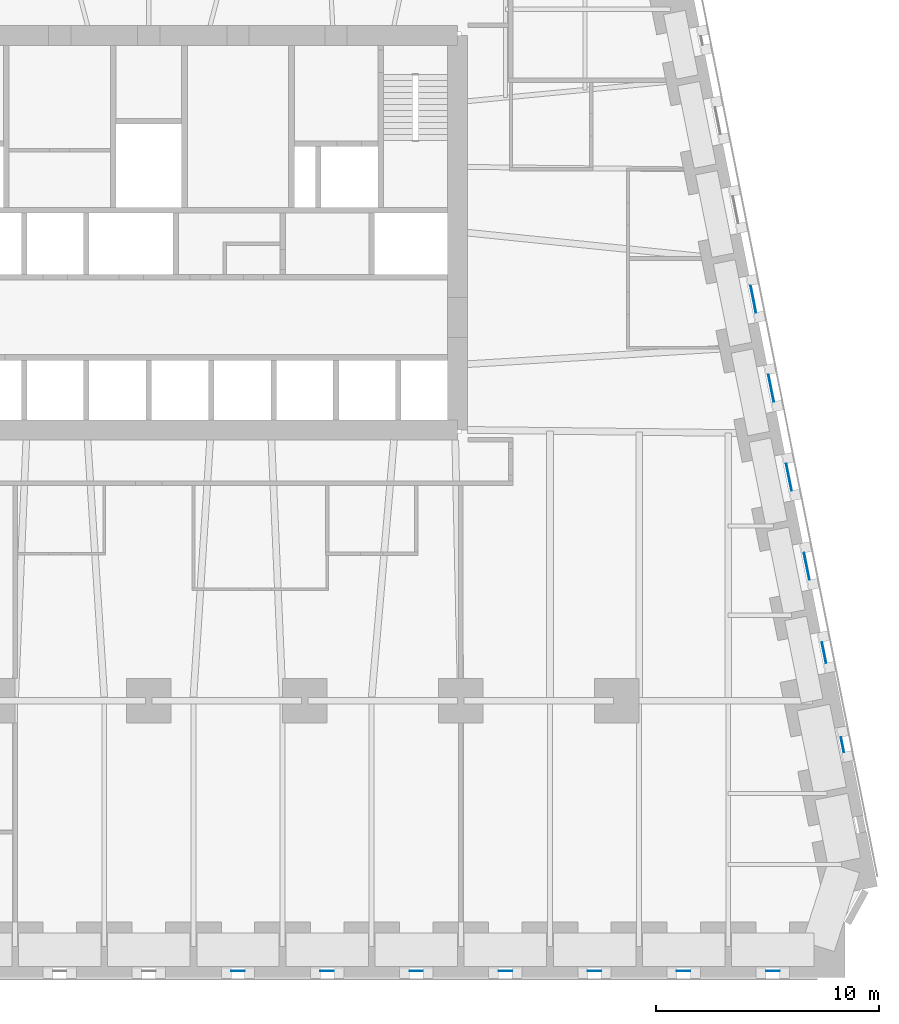
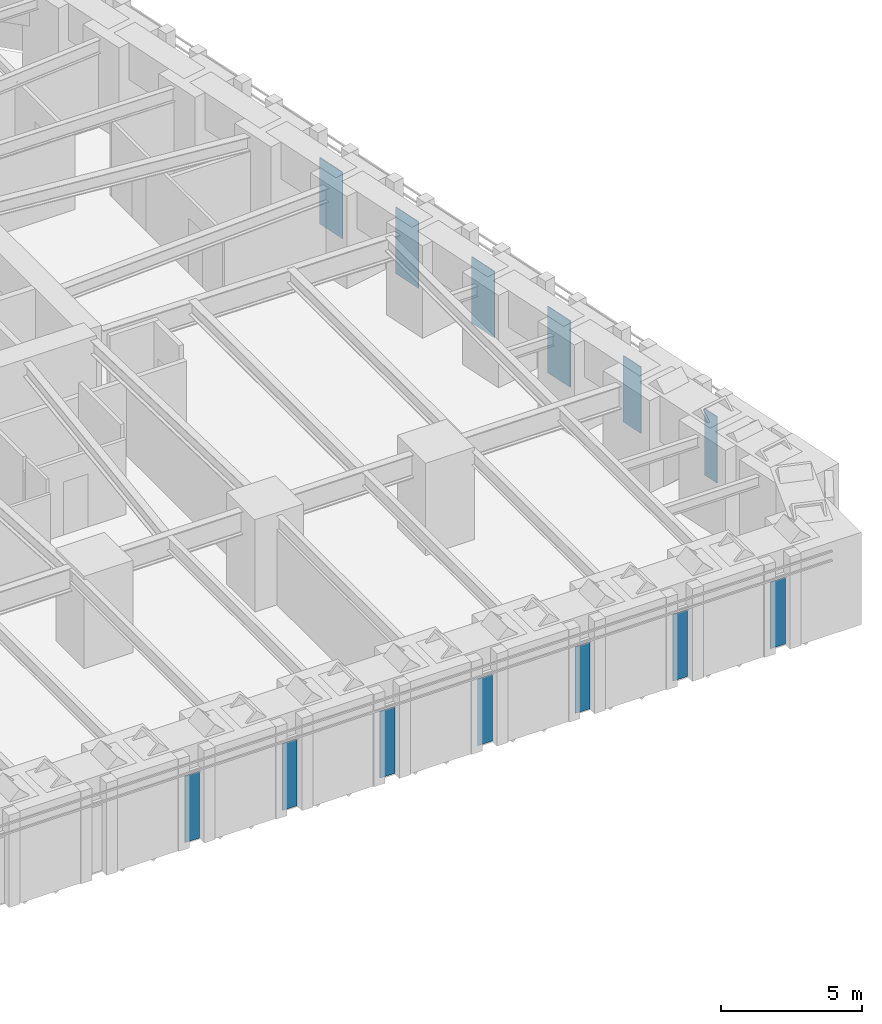
# One storey, part 9 of 17: 13 plates, 13 elements without a shape of their own.
"""IFC4 building model written with IfcOpenShell, lengths in metres."""

from ifc_helpers import new_model, si_unit, direction, frame, origin, origin_2d, place, context, subcontext, project, spatial, rectangle, extrude, material, layer, layer_set, type_object, element, aggregate, save


model = new_model("IFC4")

# Units and contexts
model_context = context("Model", 3, precision=1e-05, world=origin(), true_north=direction((0.0, 1.0)))
body_context = subcontext(model_context, "Body", "Model", "MODEL_VIEW")
ifc_project = project(units=[si_unit("LENGTHUNIT", "METRE"), si_unit("AREAUNIT", "SQUARE_METRE"), si_unit("VOLUMEUNIT", "CUBIC_METRE"), si_unit("PLANEANGLEUNIT", "RADIAN"), si_unit("MASSUNIT", "GRAM", prefix="KILO")], contexts=[model_context])

# Site, building, storey
site_placement = place(None, origin())
site = spatial("IfcSite", under=ifc_project, at=site_placement, CompositionType="ELEMENT")
building_placement = place(site_placement, origin())
building = spatial("IfcBuilding", under=site, at=building_placement, Name="Isbrekke Arena Tower", CompositionType="ELEMENT")
storey_placement = place(building_placement, frame((0.0, 0.0, 48.0)))
storey = spatial("IfcBuildingStorey", under=building, at=storey_placement, Name="L09", CompositionType="ELEMENT", Elevation=48.0)

# Curtain wall, plate
ifc_material_1 = material(Name="Glazed aluminium curtain wall", Category="aluminium")
curtain_wall_type = type_object("IfcCurtainWallType", Name="CWL TOWER CURTAIN WALL LOW ZONE", PredefinedType="USERDEFINED", material=ifc_material_1)
curtain_wall_1_placement = place(storey_placement, origin())
curtain_wall_1 = element("IfcCurtainWall", 1, at=curtain_wall_1_placement, inside=storey, type_object=curtain_wall_type, Name="CWL curtain wall L09-S17", ObjectType="TOWER CURTAIN WALL LOW ZONE", PredefinedType="USERDEFINED")
ifc_material_2 = material(Name="Triple-glazed clear glass unit", Category="glass")
ifc_layer = layer(ifc_material_2, 0.031982421875)
ifc_layer_set = layer_set([ifc_layer], Name="CWL-P VISION PANEL")
plate_type = type_object("IfcPlateType", Name="CWL-P VISION PANEL", PredefinedType="CURTAIN_PANEL", material=ifc_layer_set)
plate_1_placement = place(storey_placement, frame((4.0, -18.125, 0.02001953125), z_axis=(0.0, 0.0, 1.0), x_axis=(1.0, 0.0, 0.0)))
plate_1 = element("IfcPlate", 2, at=plate_1_placement, type_object=plate_type, Name="CWL-P panel 1", PredefinedType="CURTAIN_PANEL", context=body_context, shape_type="SweptSolid", body=[
    extrude(rectangle(XDim=0.60009765625, YDim=0.031982421875, at=origin_2d()), origin(), (0.0, 0.0, 1.0), 2.8798828125),
])
aggregate(curtain_wall_1, [plate_1])

curtain_wall_2_placement = place(storey_placement, origin())
curtain_wall_2 = element("IfcCurtainWall", 3, at=curtain_wall_2_placement, inside=storey, type_object=curtain_wall_type, Name="CWL curtain wall L09-S19", ObjectType="TOWER CURTAIN WALL LOW ZONE", PredefinedType="USERDEFINED")
plate_2_placement = place(storey_placement, frame((8.0, -18.125, 0.02001953125), z_axis=(0.0, 0.0, 1.0), x_axis=(1.0, 0.0, 0.0)))
plate_2 = element("IfcPlate", 4, at=plate_2_placement, type_object=plate_type, Name="CWL-P panel 1", PredefinedType="CURTAIN_PANEL", context=body_context, shape_type="SweptSolid", body=[
    extrude(rectangle(XDim=0.60009765625, YDim=0.031982421875, at=origin_2d()), origin(), (0.0, 0.0, 1.0), 2.8798828125),
])
aggregate(curtain_wall_2, [plate_2])

curtain_wall_3_placement = place(storey_placement, origin())
curtain_wall_3 = element("IfcCurtainWall", 5, at=curtain_wall_3_placement, inside=storey, type_object=curtain_wall_type, Name="CWL curtain wall L09-S21", ObjectType="TOWER CURTAIN WALL LOW ZONE", PredefinedType="USERDEFINED")
plate_3_placement = place(storey_placement, frame((12.0, -18.125, 0.02001953125), z_axis=(0.0, 0.0, 1.0), x_axis=(1.0, 0.0, 0.0)))
plate_3 = element("IfcPlate", 6, at=plate_3_placement, type_object=plate_type, Name="CWL-P panel 1", PredefinedType="CURTAIN_PANEL", context=body_context, shape_type="SweptSolid", body=[
    extrude(rectangle(XDim=0.60009765625, YDim=0.031982421875, at=origin_2d()), origin(), (0.0, 0.0, 1.0), 2.8798828125),
])
aggregate(curtain_wall_3, [plate_3])

curtain_wall_4_placement = place(storey_placement, origin())
curtain_wall_4 = element("IfcCurtainWall", 7, at=curtain_wall_4_placement, inside=storey, type_object=curtain_wall_type, Name="CWL curtain wall L09-S23", ObjectType="TOWER CURTAIN WALL LOW ZONE", PredefinedType="USERDEFINED")
plate_4_placement = place(storey_placement, frame((16.0, -18.125, 0.02001953125), z_axis=(0.0, 0.0, 1.0), x_axis=(1.0, 0.0, 0.0)))
plate_4 = element("IfcPlate", 8, at=plate_4_placement, type_object=plate_type, Name="CWL-P panel 1", PredefinedType="CURTAIN_PANEL", context=body_context, shape_type="SweptSolid", body=[
    extrude(rectangle(XDim=0.60009765625, YDim=0.031982421875, at=origin_2d()), origin(), (0.0, 0.0, 1.0), 2.8798828125),
])
aggregate(curtain_wall_4, [plate_4])

curtain_wall_5_placement = place(storey_placement, origin())
curtain_wall_5 = element("IfcCurtainWall", 9, at=curtain_wall_5_placement, inside=storey, type_object=curtain_wall_type, Name="CWL curtain wall L09-S25", ObjectType="TOWER CURTAIN WALL LOW ZONE", PredefinedType="USERDEFINED")
plate_5_placement = place(storey_placement, frame((20.0, -18.125, 0.02001953125), z_axis=(0.0, 0.0, 1.0), x_axis=(1.0, 0.0, 0.0)))
plate_5 = element("IfcPlate", 10, at=plate_5_placement, type_object=plate_type, Name="CWL-P panel 1", PredefinedType="CURTAIN_PANEL", context=body_context, shape_type="SweptSolid", body=[
    extrude(rectangle(XDim=0.60009765625, YDim=0.031982421875, at=origin_2d()), origin(), (0.0, 0.0, 1.0), 2.8798828125),
])
aggregate(curtain_wall_5, [plate_5])

curtain_wall_6_placement = place(storey_placement, origin())
curtain_wall_6 = element("IfcCurtainWall", 11, at=curtain_wall_6_placement, inside=storey, type_object=curtain_wall_type, Name="CWL curtain wall L09-S27", ObjectType="TOWER CURTAIN WALL LOW ZONE", PredefinedType="USERDEFINED")
plate_6_placement = place(storey_placement, frame((24.0, -18.125, 0.02001953125), z_axis=(0.0, 0.0, 1.0), x_axis=(1.0, 0.0, 0.0)))
plate_6 = element("IfcPlate", 12, at=plate_6_placement, type_object=plate_type, Name="CWL-P panel 1", PredefinedType="CURTAIN_PANEL", context=body_context, shape_type="SweptSolid", body=[
    extrude(rectangle(XDim=0.60009765625, YDim=0.031982421875, at=origin_2d()), origin(), (0.0, 0.0, 1.0), 2.8798828125),
])
aggregate(curtain_wall_6, [plate_6])

curtain_wall_7_placement = place(storey_placement, origin())
curtain_wall_7 = element("IfcCurtainWall", 13, at=curtain_wall_7_placement, inside=storey, type_object=curtain_wall_type, Name="CWL curtain wall L09-S29", ObjectType="TOWER CURTAIN WALL LOW ZONE", PredefinedType="USERDEFINED")
plate_7_placement = place(storey_placement, frame((28.0009765625, -18.125, 0.02001953125), z_axis=(0.0, 0.0, 1.0), x_axis=(1.0, 0.0, 0.0)))
plate_7 = element("IfcPlate", 14, at=plate_7_placement, type_object=plate_type, Name="CWL-P panel 1", PredefinedType="CURTAIN_PANEL", context=body_context, shape_type="SweptSolid", body=[
    extrude(rectangle(XDim=0.60205078125, YDim=0.031982421875, at=origin_2d()), origin(), (0.0, 0.0, 1.0), 2.8798828125),
])
aggregate(curtain_wall_7, [plate_7])

curtain_wall_8_placement = place(storey_placement, origin())
curtain_wall_8 = element("IfcCurtainWall", 15, at=curtain_wall_8_placement, inside=storey, type_object=curtain_wall_type, Name="CWL curtain wall L09-E3", ObjectType="TOWER CURTAIN WALL LOW ZONE", PredefinedType="USERDEFINED")
plate_8_placement = place(storey_placement, frame((31.12255859375, -7.9755859375, 0.02001953125), z_axis=(0.0, 0.0, 1.0), x_axis=(-0.196116135138, 0.980580675691, 0.0)))
plate_8 = element("IfcPlate", 16, at=plate_8_placement, type_object=plate_type, Name="CWL-P panel 1", PredefinedType="CURTAIN_PANEL", context=body_context, shape_type="SweptSolid", body=[
    extrude(rectangle(XDim=0.67919921875, YDim=0.031982421875, at=origin_2d()), origin(), (0.0, 0.0, 1.0), 2.8798828125),
])
aggregate(curtain_wall_8, [plate_8])

curtain_wall_9_placement = place(storey_placement, origin())
curtain_wall_9 = element("IfcCurtainWall", 17, at=curtain_wall_9_placement, inside=storey, type_object=curtain_wall_type, Name="CWL curtain wall L09-E5", ObjectType="TOWER CURTAIN WALL LOW ZONE", PredefinedType="USERDEFINED")
plate_9_placement = place(storey_placement, frame((30.295654296875, -3.840576171875, 0.02001953125), z_axis=(0.0, 0.0, 1.0), x_axis=(-0.196116135138, 0.980580675691, 0.0)))
plate_9 = element("IfcPlate", 18, at=plate_9_placement, type_object=plate_type, Name="CWL-P panel 1", PredefinedType="CURTAIN_PANEL", context=body_context, shape_type="SweptSolid", body=[
    extrude(rectangle(XDim=0.9541015625, YDim=0.031982421875, at=origin_2d()), origin(), (0.0, 0.0, 1.0), 2.8798828125),
])
aggregate(curtain_wall_9, [plate_9])

curtain_wall_10_placement = place(storey_placement, origin())
curtain_wall_10 = element("IfcCurtainWall", 19, at=curtain_wall_10_placement, inside=storey, type_object=curtain_wall_type, Name="CWL curtain wall L09-E7", ObjectType="TOWER CURTAIN WALL LOW ZONE", PredefinedType="USERDEFINED")
plate_10_placement = place(storey_placement, frame((29.5224609375, 0.0244140625, 0.02001953125), z_axis=(0.0, 0.0, 1.0), x_axis=(-0.196116135138, 0.980580675691, 0.0)))
plate_10 = element("IfcPlate", 20, at=plate_10_placement, type_object=plate_type, Name="CWL-P panel 1", PredefinedType="CURTAIN_PANEL", context=body_context, shape_type="SweptSolid", body=[
    extrude(rectangle(XDim=1.229248046875, YDim=0.031982421875, at=origin_2d()), origin(), (0.0, 0.0, 1.0), 2.8798828125),
])
aggregate(curtain_wall_10, [plate_10])

curtain_wall_11_placement = place(storey_placement, origin())
curtain_wall_11 = element("IfcCurtainWall", 21, at=curtain_wall_11_placement, inside=storey, type_object=curtain_wall_type, Name="CWL curtain wall L09-E9", ObjectType="TOWER CURTAIN WALL LOW ZONE", PredefinedType="USERDEFINED")
plate_11_placement = place(storey_placement, frame((28.72265625, 4.0244140625, 0.02001953125), z_axis=(0.0, 0.0, 1.0), x_axis=(-0.196116135138, 0.980580675691, 0.0)))
plate_11 = element("IfcPlate", 22, at=plate_11_placement, type_object=plate_type, Name="CWL-P panel 1", PredefinedType="CURTAIN_PANEL", context=body_context, shape_type="SweptSolid", body=[
    extrude(rectangle(XDim=1.229248046875, YDim=0.031982421875, at=origin_2d()), origin(), (0.0, 0.0, 1.0), 2.8798828125),
])
aggregate(curtain_wall_11, [plate_11])

curtain_wall_12_placement = place(storey_placement, origin())
curtain_wall_12 = element("IfcCurtainWall", 23, at=curtain_wall_12_placement, inside=storey, type_object=curtain_wall_type, Name="CWL curtain wall L09-E11", ObjectType="TOWER CURTAIN WALL LOW ZONE", PredefinedType="USERDEFINED")
plate_12_placement = place(storey_placement, frame((27.922607421875, 8.0244140625, 0.02001953125), z_axis=(0.0, 0.0, 1.0), x_axis=(-0.196116135138, 0.980580675691, 0.0)))
plate_12 = element("IfcPlate", 24, at=plate_12_placement, type_object=plate_type, Name="CWL-P panel 1", PredefinedType="CURTAIN_PANEL", context=body_context, shape_type="SweptSolid", body=[
    extrude(rectangle(XDim=1.229248046875, YDim=0.031982421875, at=origin_2d()), origin(), (0.0, 0.0, 1.0), 2.8798828125),
])
aggregate(curtain_wall_12, [plate_12])

curtain_wall_13_placement = place(storey_placement, origin())
curtain_wall_13 = element("IfcCurtainWall", 25, at=curtain_wall_13_placement, inside=storey, type_object=curtain_wall_type, Name="CWL curtain wall L09-E13", ObjectType="TOWER CURTAIN WALL LOW ZONE", PredefinedType="USERDEFINED")
plate_13_placement = place(storey_placement, frame((27.12255859375, 12.0244140625, 0.02001953125), z_axis=(0.0, 0.0, 1.0), x_axis=(-0.196116135138, 0.980580675691, 0.0)))
plate_13 = element("IfcPlate", 26, at=plate_13_placement, type_object=plate_type, Name="CWL-P panel 1", PredefinedType="CURTAIN_PANEL", context=body_context, shape_type="SweptSolid", body=[
    extrude(rectangle(XDim=1.229248046875, YDim=0.031982421875, at=origin_2d()), origin(), (0.0, 0.0, 1.0), 2.8798828125),
])
aggregate(curtain_wall_13, [plate_13])

save(model, "model.ifc")
